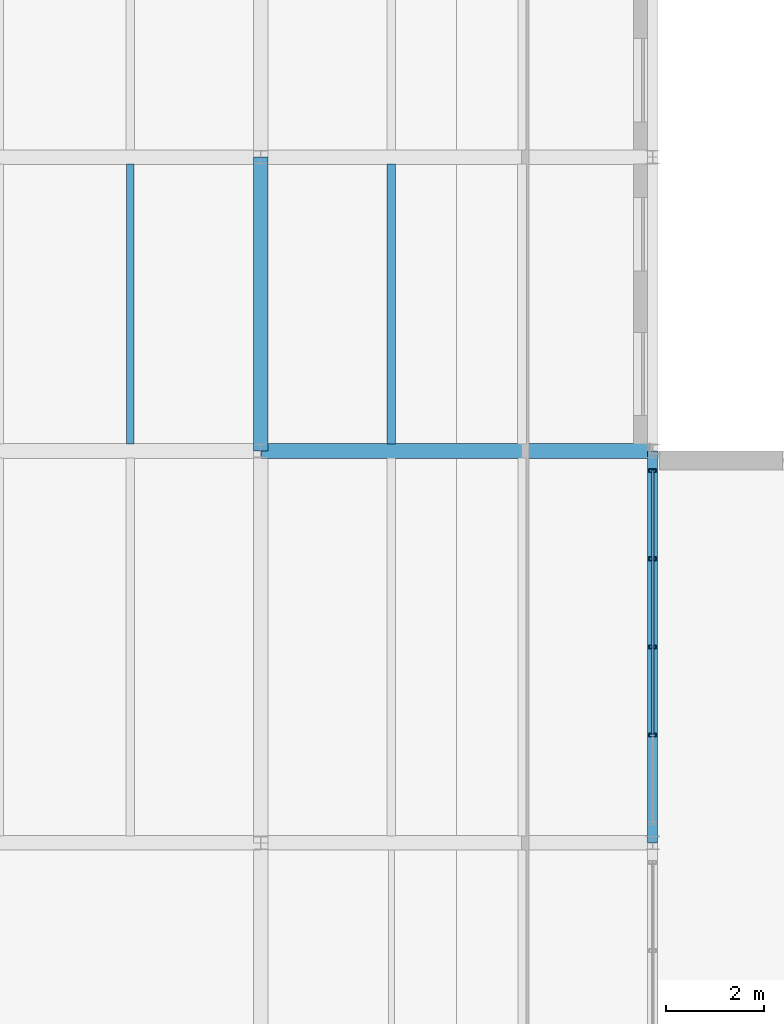
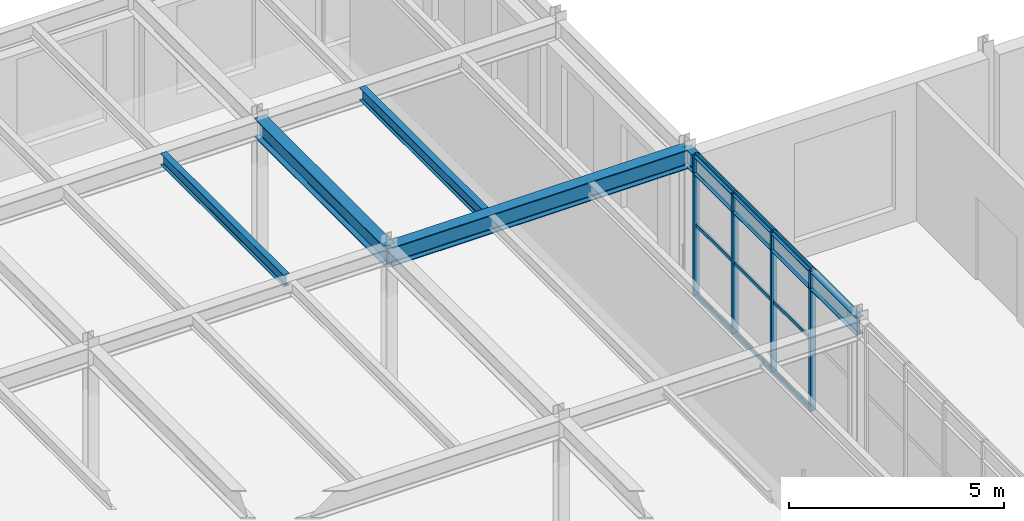
# One storey, part 59 of 122: 13 members, 5 beams, 1 element without a shape of its own.
"""IFC4 building model written with IfcOpenShell, lengths in metres."""

from ifc_helpers import new_model, si_unit, direction, frame, origin, origin_2d, place, context, subcontext, project, spatial, hollow_rectangle, i_section, extrude, material, material_profile, profile_set, type_object, element, aggregate, save


model = new_model("IFC4")

# Units and contexts
model_context = context("Model", 3, precision=1e-05, world=origin(), true_north=direction((0.0, 1.0)))
body_context = subcontext(model_context, "Body", "Model", "MODEL_VIEW")
ifc_project = project(units=[si_unit("LENGTHUNIT", "METRE"), si_unit("AREAUNIT", "SQUARE_METRE"), si_unit("VOLUMEUNIT", "CUBIC_METRE"), si_unit("PLANEANGLEUNIT", "RADIAN"), si_unit("MASSUNIT", "GRAM", prefix="KILO")], contexts=[model_context])

# Site, building, storey
site_placement = place(None, origin())
site = spatial("IfcSite", under=ifc_project, at=site_placement, CompositionType="ELEMENT")
building_placement = place(site_placement, origin())
building = spatial("IfcBuilding", under=site, at=building_placement, Name="Sundkrona Museum", CompositionType="ELEMENT")
storey_placement = place(building_placement, frame((0.0, 0.0, 5.39990234375)))
storey = spatial("IfcBuildingStorey", under=building, at=storey_placement, Name="L01", CompositionType="ELEMENT", Elevation=5.39990234375)

# Beams
ifc_material_1 = material(Name="Steel S355J2", Category="steel")
ifc_material_profile_1 = material_profile(ifc_material_1, i_section(OverallWidth=0.300048828125, OverallDepth=0.5400390625, WebThickness=0.012451171875, FlangeThickness=0.02392578125, FilletRadius=0.027099609375, at=origin_2d()), Name="HEA 550")
ifc_profile_set_1 = profile_set([ifc_material_profile_1], Name="Steel S355J2")
beam_type_1 = type_object("IfcBeamType", Name="B-HEA550", PredefinedType="BEAM", material=ifc_profile_set_1)
beam_1_placement = place(storey_placement, frame((72.0, 102.0, 3.690185546875), z_axis=(1.0, 0.0, 0.0), x_axis=(0.0, 1.0, 0.0)))
element("IfcBeam", 1, at=beam_1_placement, inside=storey, type_object=beam_type_1, Name="L01 Girder X-0928", PredefinedType="BEAM", context=body_context, shape_type="SweptSolid", body=[
    extrude(i_section(OverallWidth=0.300048828125, OverallDepth=0.5400390625, WebThickness=0.012451171875, FlangeThickness=0.02392578125, FilletRadius=0.027099609375, at=origin_2d()), origin(), (0.0, 0.0, 1.0), 8.0),
])
beam_2_placement = place(storey_placement, frame((72.0, 102.0, 3.690185546875), z_axis=(0.0, 1.0, 0.0), x_axis=(-1.0, 0.0, 0.0)))
element("IfcBeam", 2, at=beam_2_placement, inside=storey, type_object=beam_type_1, Name="L01 Girder Y-1007", PredefinedType="BEAM", context=body_context, shape_type="SweptSolid", body=[
    extrude(i_section(OverallWidth=0.300048828125, OverallDepth=0.5400390625, WebThickness=0.012451171875, FlangeThickness=0.02392578125, FilletRadius=0.027099609375, at=origin_2d()), origin(), (0.0, 0.0, 1.0), 6.0),
])
ifc_material_profile_2 = material_profile(ifc_material_1, i_section(OverallWidth=0.159912109375, OverallDepth=0.330078125, WebThickness=0.007568359375, FlangeThickness=0.011474609375, FilletRadius=0.01806640625, at=origin_2d()), Name="IPE 330")
ifc_profile_set_2 = profile_set([ifc_material_profile_2], Name="Steel S355J2")
beam_type_2 = type_object("IfcBeamType", Name="J-IPE330", PredefinedType="JOIST", material=ifc_profile_set_2)
beam_3_placement = place(storey_placement, frame((69.333251953125, 102.14404296875, 3.795166015625), z_axis=(0.0, 1.0, 0.0), x_axis=(-1.0, 0.0, 0.0)))
element("IfcBeam", 3, at=beam_3_placement, inside=storey, type_object=beam_type_2, Name="L01 Composite Joist 0620", PredefinedType="JOIST", context=body_context, shape_type="SweptSolid", body=[
    extrude(i_section(OverallWidth=0.159912109375, OverallDepth=0.330078125, WebThickness=0.007568359375, FlangeThickness=0.011474609375, FilletRadius=0.01806640625, at=origin_2d()), origin(), (0.0, 0.0, 1.0), 5.7119140625),
])
ifc_material_profile_3 = material_profile(ifc_material_1, i_section(OverallWidth=0.169921875, OverallDepth=0.360107421875, WebThickness=0.008056640625, FlangeThickness=0.0126953125, FilletRadius=0.01806640625, at=origin_2d()), Name="IPE 360")
ifc_profile_set_3 = profile_set([ifc_material_profile_3], Name="Steel S355J2")
beam_type_3 = type_object("IfcBeamType", Name="J-IPE360", PredefinedType="JOIST", material=ifc_profile_set_3)
beam_4_placement = place(storey_placement, frame((74.666748046875, 102.14404296875, 3.780029296875), z_axis=(0.0, 1.0, 0.0), x_axis=(-1.0, 0.0, 0.0)))
element("IfcBeam", 4, at=beam_4_placement, inside=storey, type_object=beam_type_3, Name="L01 Composite Joist 0629", PredefinedType="JOIST", context=body_context, shape_type="SweptSolid", body=[
    extrude(i_section(OverallWidth=0.169921875, OverallDepth=0.360107421875, WebThickness=0.008056640625, FlangeThickness=0.0126953125, FilletRadius=0.01806640625, at=origin_2d()), origin(), (0.0, 0.0, 1.0), 5.7119140625),
])

# Curtain wall, members
ifc_material_2 = material(Name="Unitised Aluminium-Steel and Ceramic-Clad Curtain Walling", Category="steel")
curtain_wall_type = type_object("IfcCurtainWallType", Name="CW-PS-54x38", PredefinedType="NOTDEFINED", material=ifc_material_2)
curtain_wall_placement = place(storey_placement, origin())
curtain_wall = element("IfcCurtainWall", 5, at=curtain_wall_placement, inside=storey, type_object=curtain_wall_type, Name="L01 Curtain Wall CW-L01-122", PredefinedType="NOTDEFINED")
ifc_material_3 = material(Name="Aluminium EN AW-6060 T66", Category="aluminium")
ifc_material_profile_4 = material_profile(ifc_material_3, hollow_rectangle(XDim=0.074951171875, YDim=0.14990234375, WallThickness=0.00634765625, at=origin_2d()), Name="RHS 150x75x6.3")
ifc_profile_set_4 = profile_set([ifc_material_profile_4], Name="Aluminium EN AW-6060 T66")
member_type_1 = type_object("IfcMemberType", Name="ML-150", PredefinedType="MULLION", material=ifc_profile_set_4)
member_1_placement = place(storey_placement, frame((80.0, 96.199951171875, -0.00390625), z_axis=(0.0, 0.0, 1.0), x_axis=(0.0, 1.0, 0.0)))
member_1 = element("IfcMember", 6, at=member_1_placement, type_object=member_type_1, Name="CW-L01-122 Mullion 02", PredefinedType="MULLION", context=body_context, shape_type="SweptSolid", body=[
    extrude(hollow_rectangle(XDim=0.074951171875, YDim=0.14990234375, WallThickness=0.00634765625, at=origin_2d()), origin(), (0.0, 0.0, 1.0), 3.968017578125),
])
member_2_placement = place(storey_placement, frame((80.0, 98.0, -0.00390625), z_axis=(0.0, 0.0, 1.0), x_axis=(0.0, 1.0, 0.0)))
member_2 = element("IfcMember", 7, at=member_2_placement, type_object=member_type_1, Name="CW-L01-122 Mullion 03", PredefinedType="MULLION", context=body_context, shape_type="SweptSolid", body=[
    extrude(hollow_rectangle(XDim=0.074951171875, YDim=0.14990234375, WallThickness=0.00634765625, at=origin_2d()), origin(), (0.0, 0.0, 1.0), 3.968017578125),
])
member_3_placement = place(storey_placement, frame((80.0, 99.800048828125, -0.00390625), z_axis=(0.0, 0.0, 1.0), x_axis=(0.0, 1.0, 0.0)))
member_3 = element("IfcMember", 8, at=member_3_placement, type_object=member_type_1, Name="CW-L01-122 Mullion 04", PredefinedType="MULLION", context=body_context, shape_type="SweptSolid", body=[
    extrude(hollow_rectangle(XDim=0.074951171875, YDim=0.14990234375, WallThickness=0.00634765625, at=origin_2d()), origin(), (0.0, 0.0, 1.0), 3.968017578125),
])
member_4_placement = place(storey_placement, frame((80.0, 101.60009765625, -0.00390625), z_axis=(0.0, 0.0, 1.0), x_axis=(0.0, 1.0, 0.0)))
member_4 = element("IfcMember", 9, at=member_4_placement, type_object=member_type_1, Name="CW-L01-122 Mullion 05", PredefinedType="MULLION", context=body_context, shape_type="SweptSolid", body=[
    extrude(hollow_rectangle(XDim=0.074951171875, YDim=0.14990234375, WallThickness=0.00634765625, at=origin_2d()), origin(), (0.0, 0.0, 1.0), 3.968017578125),
])

# Beam
ifc_material_profile_5 = material_profile(ifc_material_1, i_section(OverallWidth=0.199951171875, OverallDepth=0.5, WebThickness=0.01025390625, FlangeThickness=0.01611328125, FilletRadius=0.02099609375, at=origin_2d()), Name="IPE 500")
ifc_profile_set_5 = profile_set([ifc_material_profile_5], Name="Steel S355J2")
beam_type_4 = type_object("IfcBeamType", Name="SP-IPE500", PredefinedType="SPANDREL", material=ifc_profile_set_5)
beam_5_placement = place(storey_placement, frame((80.0, 94.0, 3.710205078125), z_axis=(0.0, 1.0, 0.0), x_axis=(-1.0, 0.0, 0.0)))
element("IfcBeam", 10, at=beam_5_placement, inside=storey, type_object=beam_type_4, Name="L01 Girder Y-1016", PredefinedType="SPANDREL", context=body_context, shape_type="SweptSolid", body=[
    extrude(i_section(OverallWidth=0.199951171875, OverallDepth=0.5, WebThickness=0.01025390625, FlangeThickness=0.01611328125, FilletRadius=0.02099609375, at=origin_2d()), origin(), (0.0, 0.0, 1.0), 8.0),
])

# Member
ifc_material_profile_6 = material_profile(ifc_material_3, hollow_rectangle(XDim=0.050048828125, YDim=0.10009765625, WallThickness=0.0048828125, at=origin_2d()), Name="RHS 100x50x5.0")
ifc_profile_set_6 = profile_set([ifc_material_profile_6], Name="Aluminium EN AW-6060 T66")
member_type_2 = type_object("IfcMemberType", Name="TR-100", PredefinedType="USERDEFINED", material=ifc_profile_set_6)
member_5_placement = place(storey_placement, frame((80.0, 96.199951171875, -0.00390625), z_axis=(0.0, 1.0, 0.0), x_axis=(-1.0, 0.0, 0.0)))
member_5 = element("IfcMember", 11, at=member_5_placement, type_object=member_type_2, Name="CW-L01-122 Transom 04", ObjectType="TRANSOM", PredefinedType="USERDEFINED", context=body_context, shape_type="SweptSolid", body=[
    extrude(hollow_rectangle(XDim=0.050048828125, YDim=0.10009765625, WallThickness=0.0048828125, at=origin_2d()), origin(), (0.0, 0.0, 1.0), 1.800048828125),
])

member_6_placement = place(storey_placement, frame((80.0, 96.199951171875, 1.97998046875), z_axis=(0.0, 1.0, 0.0), x_axis=(-1.0, 0.0, 0.0)))
member_6 = element("IfcMember", 12, at=member_6_placement, type_object=member_type_2, Name="CW-L01-122 Transom 05", ObjectType="TRANSOM", PredefinedType="USERDEFINED", context=body_context, shape_type="SweptSolid", body=[
    extrude(hollow_rectangle(XDim=0.050048828125, YDim=0.10009765625, WallThickness=0.0048828125, at=origin_2d()), origin(), (0.0, 0.0, 1.0), 1.800048828125),
])

member_7_placement = place(storey_placement, frame((80.0, 96.199951171875, 3.964111328125), z_axis=(0.0, 1.0, 0.0), x_axis=(-1.0, 0.0, 0.0)))
member_7 = element("IfcMember", 13, at=member_7_placement, type_object=member_type_2, Name="CW-L01-122 Transom 06", ObjectType="TRANSOM", PredefinedType="USERDEFINED", context=body_context, shape_type="SweptSolid", body=[
    extrude(hollow_rectangle(XDim=0.050048828125, YDim=0.10009765625, WallThickness=0.0048828125, at=origin_2d()), origin(), (0.0, 0.0, 1.0), 1.800048828125),
])

member_8_placement = place(storey_placement, frame((80.0, 98.0, -0.00390625), z_axis=(0.0, 1.0, 0.0), x_axis=(-1.0, 0.0, 0.0)))
member_8 = element("IfcMember", 14, at=member_8_placement, type_object=member_type_2, Name="CW-L01-122 Transom 07", ObjectType="TRANSOM", PredefinedType="USERDEFINED", context=body_context, shape_type="SweptSolid", body=[
    extrude(hollow_rectangle(XDim=0.050048828125, YDim=0.10009765625, WallThickness=0.0048828125, at=origin_2d()), origin(), (0.0, 0.0, 1.0), 1.800048828125),
])

member_9_placement = place(storey_placement, frame((80.0, 98.0, 1.97998046875), z_axis=(0.0, 1.0, 0.0), x_axis=(-1.0, 0.0, 0.0)))
member_9 = element("IfcMember", 15, at=member_9_placement, type_object=member_type_2, Name="CW-L01-122 Transom 08", ObjectType="TRANSOM", PredefinedType="USERDEFINED", context=body_context, shape_type="SweptSolid", body=[
    extrude(hollow_rectangle(XDim=0.050048828125, YDim=0.10009765625, WallThickness=0.0048828125, at=origin_2d()), origin(), (0.0, 0.0, 1.0), 1.800048828125),
])

member_10_placement = place(storey_placement, frame((80.0, 98.0, 3.964111328125), z_axis=(0.0, 1.0, 0.0), x_axis=(-1.0, 0.0, 0.0)))
member_10 = element("IfcMember", 16, at=member_10_placement, type_object=member_type_2, Name="CW-L01-122 Transom 09", ObjectType="TRANSOM", PredefinedType="USERDEFINED", context=body_context, shape_type="SweptSolid", body=[
    extrude(hollow_rectangle(XDim=0.050048828125, YDim=0.10009765625, WallThickness=0.0048828125, at=origin_2d()), origin(), (0.0, 0.0, 1.0), 1.800048828125),
])

member_11_placement = place(storey_placement, frame((80.0, 99.800048828125, -0.00390625), z_axis=(0.0, 1.0, 0.0), x_axis=(-1.0, 0.0, 0.0)))
member_11 = element("IfcMember", 17, at=member_11_placement, type_object=member_type_2, Name="CW-L01-122 Transom 10", ObjectType="TRANSOM", PredefinedType="USERDEFINED", context=body_context, shape_type="SweptSolid", body=[
    extrude(hollow_rectangle(XDim=0.050048828125, YDim=0.10009765625, WallThickness=0.0048828125, at=origin_2d()), origin(), (0.0, 0.0, 1.0), 1.800048828125),
])

member_12_placement = place(storey_placement, frame((80.0, 99.800048828125, 1.97998046875), z_axis=(0.0, 1.0, 0.0), x_axis=(-1.0, 0.0, 0.0)))
member_12 = element("IfcMember", 18, at=member_12_placement, type_object=member_type_2, Name="CW-L01-122 Transom 11", ObjectType="TRANSOM", PredefinedType="USERDEFINED", context=body_context, shape_type="SweptSolid", body=[
    extrude(hollow_rectangle(XDim=0.050048828125, YDim=0.10009765625, WallThickness=0.0048828125, at=origin_2d()), origin(), (0.0, 0.0, 1.0), 1.800048828125),
])

member_13_placement = place(storey_placement, frame((80.0, 99.800048828125, 3.964111328125), z_axis=(0.0, 1.0, 0.0), x_axis=(-1.0, 0.0, 0.0)))
member_13 = element("IfcMember", 19, at=member_13_placement, type_object=member_type_2, Name="CW-L01-122 Transom 12", ObjectType="TRANSOM", PredefinedType="USERDEFINED", context=body_context, shape_type="SweptSolid", body=[
    extrude(hollow_rectangle(XDim=0.050048828125, YDim=0.10009765625, WallThickness=0.0048828125, at=origin_2d()), origin(), (0.0, 0.0, 1.0), 1.800048828125),
])

aggregate(curtain_wall, [member_1, member_2, member_3, member_4, member_5, member_6, member_7, member_8, member_9, member_10, member_11, member_12, member_13])

save(model, "model.ifc")
